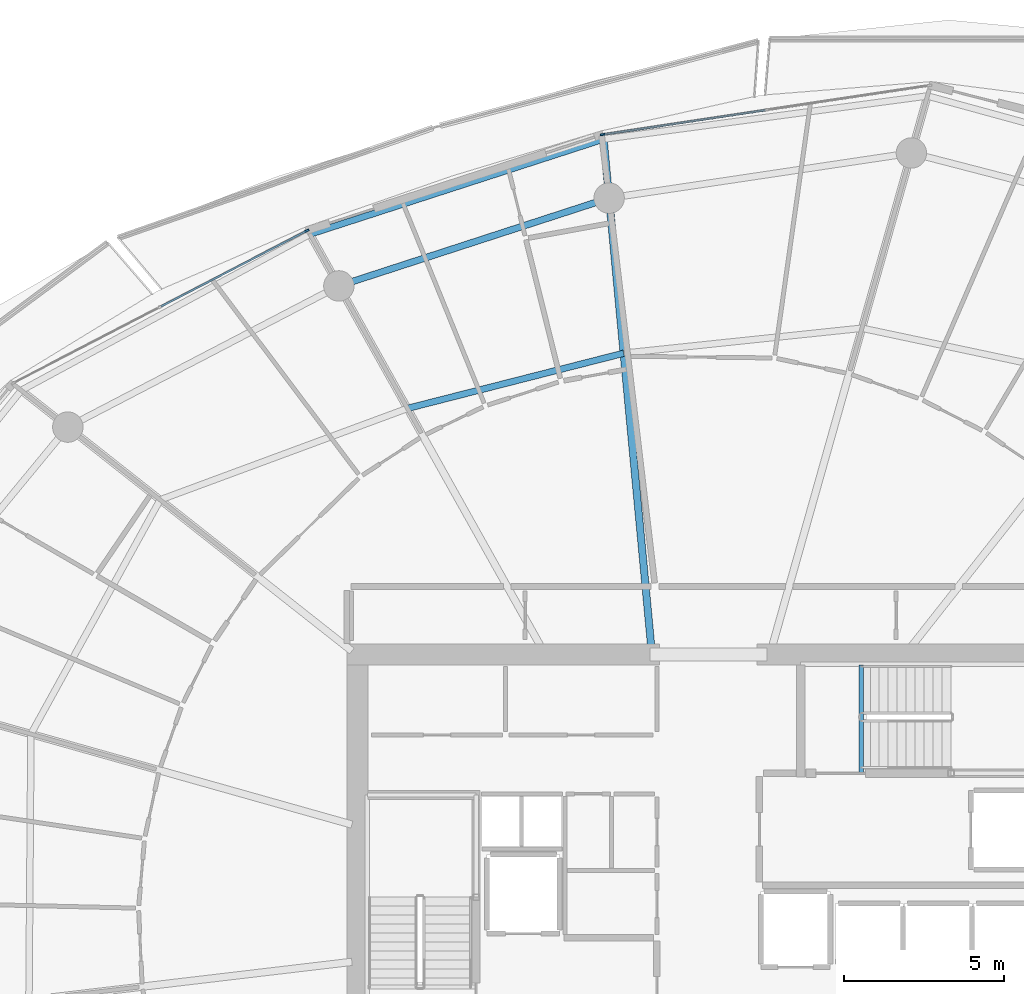
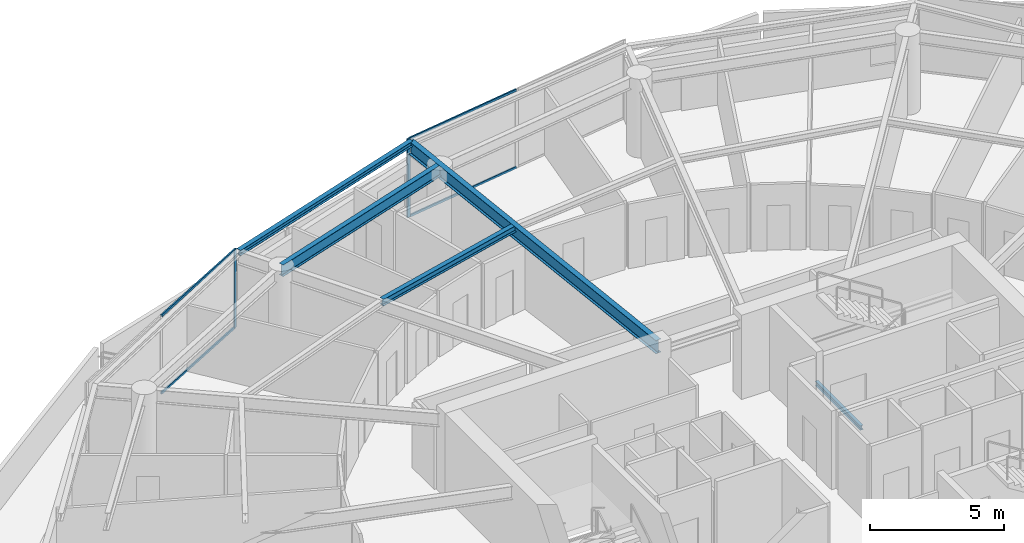
# One storey, part 13 of 30: 6 members, 5 beams, 2 elements without a shape of their own.
"""IFC4 building model written with IfcOpenShell, lengths in metres."""

from ifc_helpers import new_model, si_unit, direction, frame, origin, origin_2d, place, context, subcontext, project, spatial, rectangle, i_section, extrude, material, layer, layer_set, material_profile, profile_set, type_object, element, aggregate, save


model = new_model("IFC4")

# Units and contexts
model_context = context("Model", 3, precision=1e-05, world=origin(), true_north=direction((0.0, 1.0)))
body_context = subcontext(model_context, "Body", "Model", "MODEL_VIEW")
ifc_project = project(units=[si_unit("LENGTHUNIT", "METRE"), si_unit("AREAUNIT", "SQUARE_METRE"), si_unit("VOLUMEUNIT", "CUBIC_METRE"), si_unit("PLANEANGLEUNIT", "RADIAN"), si_unit("MASSUNIT", "GRAM", prefix="KILO")], contexts=[model_context])

# Site, building, storey
site_placement = place(None, origin())
site = spatial("IfcSite", under=ifc_project, at=site_placement, CompositionType="ELEMENT")
building_placement = place(site_placement, origin())
building = spatial("IfcBuilding", under=site, at=building_placement, Name="Kazma Halo Residences", CompositionType="ELEMENT")
storey_placement = place(building_placement, frame((0.0, 0.0, 263.64990234375)))
storey = spatial("IfcBuildingStorey", under=building, at=storey_placement, Name="L66", CompositionType="ELEMENT", Elevation=263.64990234375)

# Beams
ifc_material_1 = material(Name="Steel S355", Category="steel")
ifc_material_profile_1 = material_profile(ifc_material_1, i_section(OverallWidth=0.201904296875, OverallDepth=0.2470703125, WebThickness=0.00732421875, FlangeThickness=0.010986328125, FilletRadius=0.011962890625, at=origin_2d()), Name="W250x49.1")
ifc_profile_set_1 = profile_set([ifc_material_profile_1], Name="Steel S355")
beam_type_1 = type_object("IfcBeamType", Name="BM-BAL-CANT", PredefinedType="BEAM", material=ifc_profile_set_1)
beam_1_placement = place(storey_placement, frame((45.155517578125, 66.41259765625, 3.466552734375), z_axis=(-0.951357597741, -0.308088820344, 0.0), x_axis=(0.308088820344, -0.951357597741, 0.0)))
element("IfcBeam", 1, at=beam_1_placement, inside=storey, type_object=beam_type_1, Name="L66 wave-balcony tie beam 04", PredefinedType="BEAM", context=body_context, shape_type="SweptSolid", body=[
    extrude(i_section(OverallWidth=0.201904296875, OverallDepth=0.2470703125, WebThickness=0.00732421875, FlangeThickness=0.010986328125, FilletRadius=0.011962890625, at=origin_2d()), origin(), (0.0, 0.0, 1.0), 9.633544921875),
])
ifc_material_profile_2 = material_profile(ifc_material_1, i_section(OverallWidth=0.22802734375, OverallDepth=0.60791015625, WebThickness=0.01123046875, FlangeThickness=0.017333984375, FilletRadius=0.01806640625, at=origin_2d()), Name="W610x113")
ifc_profile_set_2 = profile_set([ifc_material_profile_2], Name="Steel S355")
beam_type_2 = type_object("IfcBeamType", Name="BM-RAD-W610", PredefinedType="BEAM", material=ifc_profile_set_2)
beam_2_placement = place(storey_placement, frame((46.64990234375, 50.5, 3.2861328125), z_axis=(-0.093500648044, 0.995619218786, 0.0), x_axis=(-0.995619218786, -0.093500648044, 0.0)))
element("IfcBeam", 2, at=beam_2_placement, inside=storey, type_object=beam_type_2, Name="L66 radial floor beam 04", PredefinedType="BEAM", context=body_context, shape_type="SweptSolid", body=[
    extrude(i_section(OverallWidth=0.22802734375, OverallDepth=0.60791015625, WebThickness=0.01123046875, FlangeThickness=0.017333984375, FilletRadius=0.01806640625, at=origin_2d()), origin(), (0.0, 0.0, 1.0), 15.982666015625),
])
ifc_material_profile_3 = material_profile(ifc_material_1, i_section(OverallWidth=0.202880859375, OverallDepth=0.302978515625, WebThickness=0.007568359375, FlangeThickness=0.01318359375, FilletRadius=0.013916015625, at=origin_2d()), Name="W310x60")
ifc_profile_set_3 = profile_set([ifc_material_profile_3], Name="Steel S355")
beam_type_3 = type_object("IfcBeamType", Name="BM-SEC-W310A", PredefinedType="JOIST", material=ifc_profile_set_3)
beam_3_placement = place(storey_placement, frame((45.783203125, 59.7294921875, 3.4384765625), z_axis=(-0.968957746759, -0.2472263841, 0.0), x_axis=(0.2472263841, -0.968957746759, 0.0)))
element("IfcBeam", 3, at=beam_3_placement, inside=storey, type_object=beam_type_3, Name="L66 circumferential floor joist 04", PredefinedType="JOIST", context=body_context, shape_type="SweptSolid", body=[
    extrude(i_section(OverallWidth=0.202880859375, OverallDepth=0.302978515625, WebThickness=0.007568359375, FlangeThickness=0.01318359375, FilletRadius=0.013916015625, at=origin_2d()), origin(), (0.0, 0.0, 1.0), 6.9638671875),
])
ifc_material_profile_4 = material_profile(ifc_material_1, i_section(OverallWidth=0.208984375, OverallDepth=0.532958984375, WebThickness=0.01025390625, FlangeThickness=0.015625, FilletRadius=0.01611328125, at=origin_2d()), Name="W530x92")
ifc_profile_set_4 = profile_set([ifc_material_profile_4], Name="Steel S355")
beam_type_4 = type_object("IfcBeamType", Name="BM-SPN-W530", PredefinedType="BEAM", material=ifc_profile_set_4)
beam_4_placement = place(storey_placement, frame((45.32861328125, 64.57080078125, 3.323486328125), z_axis=(-0.951053893407, -0.309025066679, 0.0), x_axis=(0.309025066679, -0.951053893407, 0.0)))
element("IfcBeam", 4, at=beam_4_placement, inside=storey, type_object=beam_type_4, Name="L66 perimeter ring beam 04", PredefinedType="BEAM", context=body_context, shape_type="SweptSolid", body=[
    extrude(i_section(OverallWidth=0.208984375, OverallDepth=0.532958984375, WebThickness=0.01025390625, FlangeThickness=0.015625, FilletRadius=0.01611328125, at=origin_2d()), origin(), (0.0, 0.0, 1.0), 8.8681640625),
])
ifc_material_profile_5 = material_profile(ifc_material_1, i_section(OverallWidth=0.133056640625, OverallDepth=0.20703125, WebThickness=0.005859375, FlangeThickness=0.00830078125, FilletRadius=0.010009765625, at=origin_2d()), Name="W200x26.6")
ifc_profile_set_5 = profile_set([ifc_material_profile_5], Name="Steel S355")
beam_type_5 = type_object("IfcBeamType", Name="BM-TRIM-W200", PredefinedType="BEAM", material=ifc_profile_set_5)
beam_5_placement = place(storey_placement, frame((53.199951171875, 46.6201171875, -0.369873046875), z_axis=(0.0, 1.0, 0.0), x_axis=(-1.0, 0.0, 0.0)))
element("IfcBeam", 5, at=beam_5_placement, inside=storey, type_object=beam_type_5, Name="L66 ST-02 floor landing support beam", PredefinedType="BEAM", context=body_context, shape_type="SweptSolid", body=[
    extrude(i_section(OverallWidth=0.133056640625, OverallDepth=0.20703125, WebThickness=0.005859375, FlangeThickness=0.00830078125, FilletRadius=0.010009765625, at=origin_2d()), origin(), (0.0, 0.0, 1.0), 3.3798828125),
])

# Curtain wall, member
ifc_material_2 = material(Name="Aluminium AW-6063 T6 and Triple-Silver Low-E Glass", Category="aluminium")
ifc_layer = layer(ifc_material_2, 0.139892578125)
ifc_layer_set = layer_set([ifc_layer], Name="Aluminium AW-6063 T6 and Triple-Silver Low-E Glass")
curtain_wall_type = type_object("IfcCurtainWallType", Name="CW-SYS-5", PredefinedType="NOTDEFINED", material=ifc_layer_set)
curtain_wall_1_placement = place(storey_placement, origin())
curtain_wall_1 = element("IfcCurtainWall", 6, at=curtain_wall_1_placement, inside=storey, type_object=curtain_wall_type, Name="L66 unitised curtain wall B03", PredefinedType="NOTDEFINED")
ifc_material_3 = material(Name="Aluminium AW-6063 T6", Category="aluminium")
ifc_material_profile_6 = material_profile(ifc_material_3, rectangle(XDim=0.06005859375, YDim=0.139892578125, at=origin_2d()), Name="CWM-60x140")
ifc_profile_set_6 = profile_set([ifc_material_profile_6], Name="Aluminium AW-6063 T6")
member_type_1 = type_object("IfcMemberType", Name="CW-SYS-5-MUL", PredefinedType="MULLION", material=ifc_profile_set_6)
member_1_placement = place(storey_placement, frame((45.124267578125, 66.552734375, 0.0), z_axis=(0.0, 0.0, 1.0), x_axis=(0.148697080374, -0.988882792998, 0.0)))
member_1 = element("IfcMember", 7, at=member_1_placement, type_object=member_type_1, Name="CWS-5 mullion 3", PredefinedType="MULLION", context=body_context, shape_type="SweptSolid", body=[
    extrude(rectangle(XDim=0.06005859375, YDim=0.139892578125, at=origin_2d()), origin(), (0.0, 0.0, 1.0), 3.590087890625),
])

curtain_wall_2_placement = place(storey_placement, origin())
curtain_wall_2 = element("IfcCurtainWall", 8, at=curtain_wall_2_placement, inside=storey, type_object=curtain_wall_type, Name="L66 unitised curtain wall B05", PredefinedType="NOTDEFINED")
member_2_placement = place(storey_placement, frame((35.894775390625, 63.553955078125, 0.0), z_axis=(0.0, 0.0, 1.0), x_axis=(0.460960760804, -0.887420518694, 0.0)))
member_2 = element("IfcMember", 9, at=member_2_placement, type_object=member_type_1, Name="CWS-5 mullion 1", PredefinedType="MULLION", context=body_context, shape_type="SweptSolid", body=[
    extrude(rectangle(XDim=0.06005859375, YDim=0.139892578125, at=origin_2d()), origin(), (0.0, 0.0, 1.0), 3.590087890625),
])

# Member
ifc_material_profile_7 = material_profile(ifc_material_3, rectangle(XDim=0.06005859375, YDim=0.10498046875, at=origin_2d()), Name="CWT-60x105")
ifc_profile_set_7 = profile_set([ifc_material_profile_7], Name="Aluminium AW-6063 T6")
member_type_2 = type_object("IfcMemberType", Name="CW-SYS-5-TRN", PredefinedType="USERDEFINED", material=ifc_profile_set_7)
member_3_placement = place(storey_placement, frame((50.19677734375, 67.3154296875, 0.030029296875), z_axis=(-0.988882913569, -0.148696278541, 0.0), x_axis=(0.148696278541, -0.988882913569, 0.0)))
member_3 = element("IfcMember", 10, at=member_3_placement, type_object=member_type_2, Name="CWS-5 transom 2.1", ObjectType="TRANSOM", PredefinedType="USERDEFINED", context=body_context, shape_type="SweptSolid", body=[
    extrude(rectangle(XDim=0.06005859375, YDim=0.10498046875, at=origin_2d()), origin(), (0.0, 0.0, 1.0), 5.099609375),
])

member_4_placement = place(storey_placement, frame((50.19677734375, 67.3154296875, 3.56005859375), z_axis=(-0.988882913569, -0.148696278541, 0.0), x_axis=(0.148696278541, -0.988882913569, 0.0)))
member_4 = element("IfcMember", 11, at=member_4_placement, type_object=member_type_2, Name="CWS-5 transom 2.2", ObjectType="TRANSOM", PredefinedType="USERDEFINED", context=body_context, shape_type="SweptSolid", body=[
    extrude(rectangle(XDim=0.06005859375, YDim=0.10498046875, at=origin_2d()), origin(), (0.0, 0.0, 1.0), 5.099609375),
])

aggregate(curtain_wall_1, [member_1, member_3, member_4])

member_5_placement = place(storey_placement, frame((35.8681640625, 63.5400390625, 0.030029296875), z_axis=(-0.887436955863, -0.46092911534, 0.0), x_axis=(0.46092911534, -0.887436955863, 0.0)))
member_5 = element("IfcMember", 12, at=member_5_placement, type_object=member_type_2, Name="CWS-5 transom 1.1", ObjectType="TRANSOM", PredefinedType="USERDEFINED", context=body_context, shape_type="SweptSolid", body=[
    extrude(rectangle(XDim=0.06005859375, YDim=0.10498046875, at=origin_2d()), origin(), (0.0, 0.0, 1.0), 5.099609375),
])

member_6_placement = place(storey_placement, frame((35.8681640625, 63.5400390625, 3.56005859375), z_axis=(-0.887436955863, -0.46092911534, 0.0), x_axis=(0.46092911534, -0.887436955863, 0.0)))
member_6 = element("IfcMember", 13, at=member_6_placement, type_object=member_type_2, Name="CWS-5 transom 1.2", ObjectType="TRANSOM", PredefinedType="USERDEFINED", context=body_context, shape_type="SweptSolid", body=[
    extrude(rectangle(XDim=0.06005859375, YDim=0.10498046875, at=origin_2d()), origin(), (0.0, 0.0, 1.0), 5.099609375),
])

aggregate(curtain_wall_2, [member_2, member_5, member_6])

save(model, "model.ifc")
